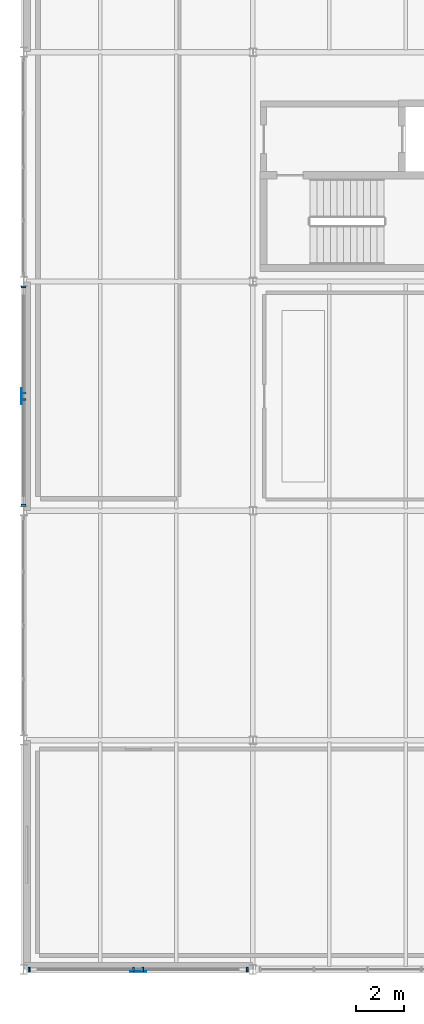
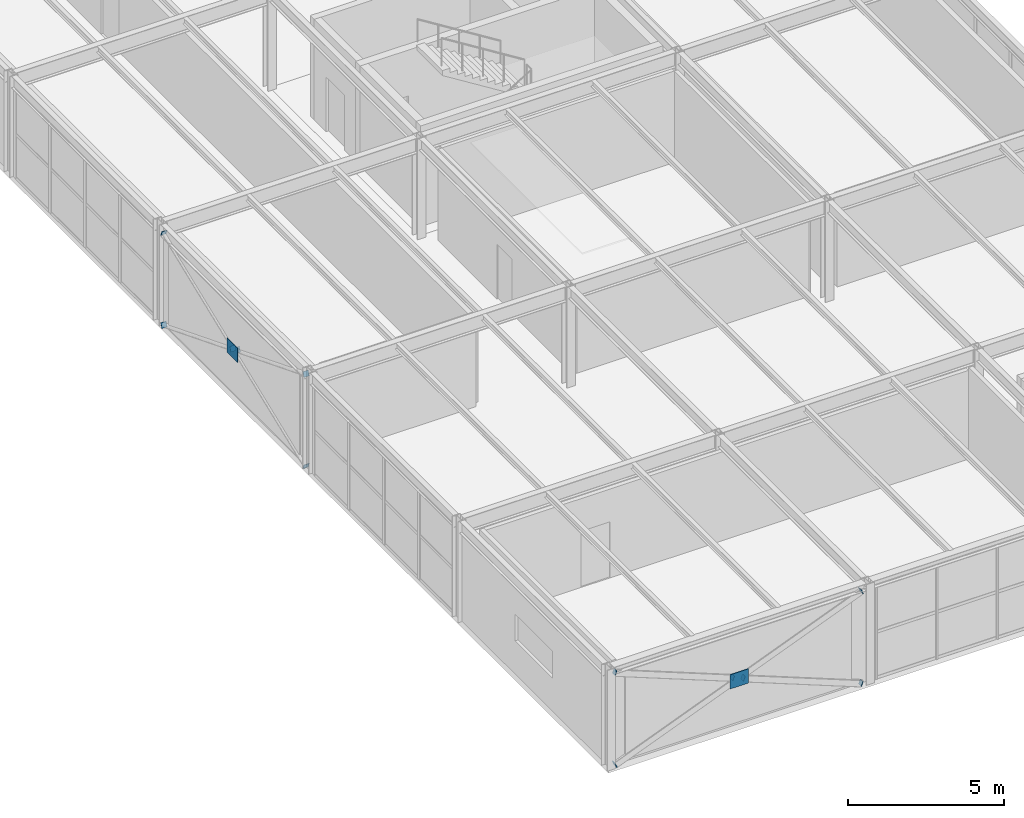
# One storey, part 110 of 126: 14 plates.
"""IFC4 building model written with IfcOpenShell, lengths in metres."""

from ifc_helpers import new_model, si_unit, direction, frame, origin, origin_2d, place, context, subcontext, project, spatial, rectangle, extrude, material, layer, layer_set, type_object, element, save


model = new_model("IFC4")

# Units and contexts
model_context = context("Model", 3, precision=1e-05, world=origin(), true_north=direction((0.0, 1.0)))
body_context = subcontext(model_context, "Body", "Model", "MODEL_VIEW")
ifc_project = project(units=[si_unit("LENGTHUNIT", "METRE"), si_unit("AREAUNIT", "SQUARE_METRE"), si_unit("VOLUMEUNIT", "CUBIC_METRE"), si_unit("PLANEANGLEUNIT", "RADIAN"), si_unit("MASSUNIT", "GRAM", prefix="KILO")], contexts=[model_context])

# Site, building, storey
site_placement = place(None, origin())
site = spatial("IfcSite", under=ifc_project, at=site_placement, CompositionType="ELEMENT")
building_placement = place(site_placement, origin())
building = spatial("IfcBuilding", under=site, at=building_placement, Name="Coralgate Yard Interchange", CompositionType="ELEMENT")
storey_placement = place(building_placement, frame((0.0, 0.0, 10.5)))
storey = spatial("IfcBuildingStorey", under=building, at=storey_placement, Name="L02", CompositionType="ELEMENT", Elevation=10.5)

# Plates
ifc_material_1 = material(Name="Structural steel S355J2", Category="steel")
ifc_layer_1 = layer(ifc_material_1, 0.01806640625)
ifc_layer_set_1 = layer_set([ifc_layer_1], Name="Structural steel S355J2")
plate_type_1 = type_object("IfcPlateType", Name="PLT-EP-18", PredefinedType="USERDEFINED", material=ifc_layer_set_1)
for number, where, z_axis, x_axis, name in (
    (1, (0.0, 19.44189453125, 0.020751953125), (0.0, -0.929806613064, -0.368048451025), (1.0, 0.0, 0.0), "Steel hollow section end cap plate CAP-BRC-L02-W-A-0"),
    (2, (0.0, 28.55810546875, 3.629150390625), (0.0, 0.929806613064, 0.368048451025), (-1.0, 0.0, 0.0), "Steel hollow section end cap plate CAP-BRC-L02-W-A-1"),
    (3, (0.0, 28.55810546875, 0.020751953125), (0.0, 0.929806613064, -0.368048451025), (-1.0, 0.0, 0.0), "Steel hollow section end cap plate CAP-BRC-L02-W-B1-0"),
    (4, (0.0, 24.14697265625, 1.7666015625), (0.0, -0.929806613064, 0.368048451025), (1.0, 0.0, 0.0), "Steel hollow section end cap plate CAP-BRC-L02-W-B1-1"),
    (5, (0.0, 23.85302734375, 1.88330078125), (0.0, 0.929806613064, -0.368048451025), (-1.0, 0.0, 0.0), "Steel hollow section end cap plate CAP-BRC-L02-W-B2-0"),
    (6, (0.0, 19.44189453125, 3.629150390625), (0.0, -0.929806613064, 0.368048451025), (1.0, 0.0, 0.0), "Steel hollow section end cap plate CAP-BRC-L02-W-B2-1"),
):
    element("IfcPlate", number, at=place(storey_placement, frame(where, z_axis=z_axis, x_axis=x_axis)), inside=storey, type_object=plate_type_1, Name=name, ObjectType="CAP PLATE", PredefinedType="USERDEFINED", context=body_context, shape_type="SweptSolid", body=[
        extrude(rectangle(XDim=0.197998046875, YDim=0.197998046875, at=origin_2d()), origin(), (0.0, 0.0, 1.0), 0.01806640625),
    ])
for number, where, z_axis, x_axis, name in (
    (7, (0.24169921875, 0.0, 0.020751953125), (-0.929806613064, 0.0, -0.368048451025), (0.0, -1.0, 0.0), "Steel hollow section end cap plate CAP-BRC-L02-S-A-0"),
    (8, (9.358154296875, 0.0, 3.629150390625), (0.929806613064, 0.0, 0.368048451025), (0.0, 1.0, 0.0), "Steel hollow section end cap plate CAP-BRC-L02-S-A-1"),
    (9, (9.358154296875, 0.0, 0.020751953125), (0.929806613064, 0.0, -0.368048451025), (0.0, 1.0, 0.0), "Steel hollow section end cap plate CAP-BRC-L02-S-B1-0"),
    (10, (5.00634765625, 0.0, 1.7431640625), (-0.929806613064, 0.0, 0.368048451025), (0.0, -1.0, 0.0), "Steel hollow section end cap plate CAP-BRC-L02-S-B1-1"),
    (11, (4.593505859375, 0.0, 1.90673828125), (0.929806613064, 0.0, -0.368048451025), (0.0, 1.0, 0.0), "Steel hollow section end cap plate CAP-BRC-L02-S-B2-0"),
    (12, (0.24169921875, 0.0, 3.629150390625), (-0.929806613064, 0.0, 0.368048451025), (0.0, -1.0, 0.0), "Steel hollow section end cap plate CAP-BRC-L02-S-B2-1"),
):
    element("IfcPlate", number, at=place(storey_placement, frame(where, z_axis=z_axis, x_axis=x_axis)), inside=storey, type_object=plate_type_1, Name=name, ObjectType="CAP PLATE", PredefinedType="USERDEFINED", context=body_context, shape_type="SweptSolid", body=[
        extrude(rectangle(XDim=0.179931640625, YDim=0.179931640625, at=origin_2d()), origin(), (0.0, 0.0, 1.0), 0.01806640625),
    ])
ifc_material_2 = material(Name="Yellow-ochre weather-coated structural steel S355J2", Category="steel")
ifc_layer_2 = layer(ifc_material_2, 0.02392578125)
ifc_layer_set_2 = layer_set([ifc_layer_2], Name="Yellow-ochre weather-coated structural steel S355J2")
plate_type_2 = type_object("IfcPlateType", Name="PLT-EP-24", PredefinedType="USERDEFINED", material=ifc_layer_set_2)
for number, where, z_axis, x_axis, name in (
    (13, (-0.09521484375, 24.0, 1.544921875), (0.0, 0.0, 1.0), (0.0, 1.0, 0.0), "L02 X-brace crossing gusset plate W"),
    (14, (4.800048828125, -0.0859375, 1.544921875), (0.0, 0.0, 1.0), (1.0, 0.0, 0.0), "L02 X-brace crossing gusset plate S"),
):
    element("IfcPlate", number, at=place(storey_placement, frame(where, z_axis=z_axis, x_axis=x_axis)), inside=storey, type_object=plate_type_2, Name=name, ObjectType="CAP PLATE", PredefinedType="USERDEFINED", context=body_context, shape_type="SweptSolid", body=[
        extrude(rectangle(XDim=0.679931640625, YDim=0.02392578125, at=origin_2d()), origin(), (0.0, 0.0, 1.0), 0.56005859375),
    ])

save(model, "model.ifc")
